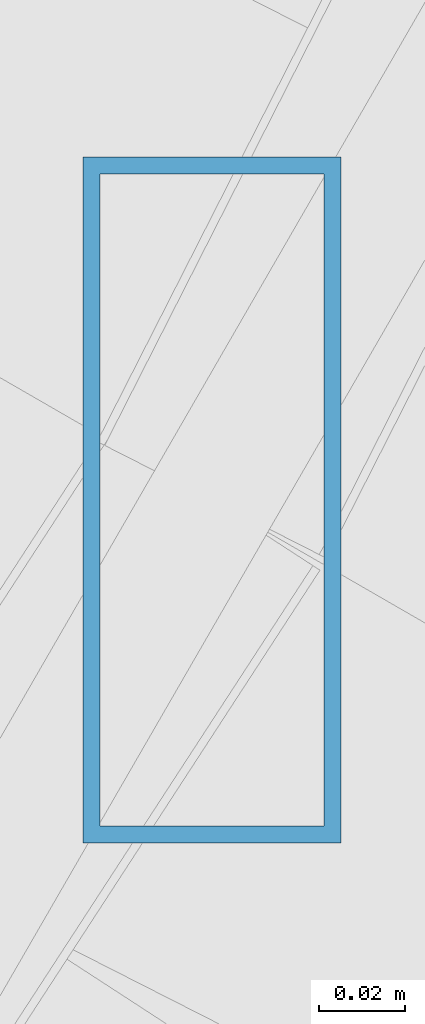
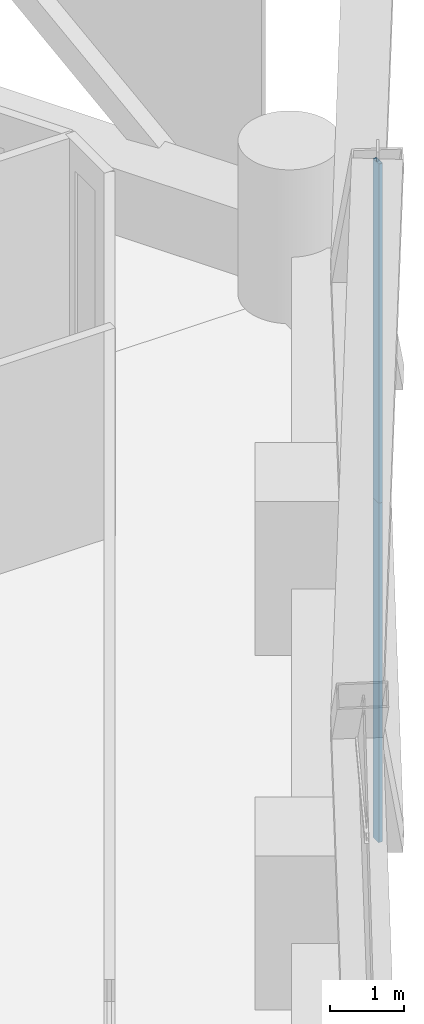
# One storey, part 6 of 22: 2 members, 1 element without a shape of its own.
"""IFC4 building model written with IfcOpenShell, lengths in metres."""

from ifc_helpers import new_model, si_unit, direction, frame, origin, origin_2d, place, context, subcontext, project, spatial, hollow_rectangle, extrude, material, material_profile, profile_set, type_object, element, aggregate, save


model = new_model("IFC4")

# Units and contexts
model_context = context("Model", 3, precision=1e-05, world=origin(), true_north=direction((0.0, 1.0)))
body_context = subcontext(model_context, "Body", "Model", "MODEL_VIEW")
ifc_project = project(units=[si_unit("LENGTHUNIT", "METRE"), si_unit("AREAUNIT", "SQUARE_METRE"), si_unit("VOLUMEUNIT", "CUBIC_METRE"), si_unit("PLANEANGLEUNIT", "RADIAN"), si_unit("MASSUNIT", "GRAM", prefix="KILO")], contexts=[model_context])

# Site, building, storey
site_placement = place(None, origin())
site = spatial("IfcSite", under=ifc_project, at=site_placement, CompositionType="ELEMENT")
building_placement = place(site_placement, origin())
building = spatial("IfcBuilding", under=site, at=building_placement, Name="Ostrander Bayou Hotel Tower", CompositionType="ELEMENT")
storey_placement = place(building_placement, frame((0.0, 0.0, 35.5)))
storey = spatial("IfcBuildingStorey", under=building, at=storey_placement, Name="L08", CompositionType="ELEMENT", Elevation=35.5)

# Curtain wall, members
ifc_material_1 = material(Name="Aluminium and clear glass", Category="aluminium")
curtain_wall_type = type_object("IfcCurtainWallType", Name="CW-LAT lattice glazing", PredefinedType="NOTDEFINED", material=ifc_material_1)
curtain_wall_placement = place(storey_placement, origin())
curtain_wall = element("IfcCurtainWall", 1, at=curtain_wall_placement, inside=storey, type_object=curtain_wall_type, Name="CW-LAT L08 SE 1", PredefinedType="NOTDEFINED")
ifc_material_2 = material(Name="Aluminium", Category="aluminium")
ifc_material_profile = material_profile(ifc_material_2, hollow_rectangle(XDim=0.06005859375, YDim=0.159912109375, WallThickness=0.00390625, at=origin_2d()))
ifc_profile_set = profile_set([ifc_material_profile], Name="Aluminium")
member_type = type_object("IfcMemberType", Name="CW-LA mullion 60 x 160 mm", PredefinedType="MULLION", material=ifc_profile_set)
member_1_placement = place(storey_placement, frame((19.11328125, -11.034912109375, -0.60009765625), z_axis=(0.0, 0.0, 1.0), x_axis=(1.0, 0.0, 0.0)))
member_1 = element("IfcMember", 2, at=member_1_placement, type_object=member_type, Name="CW-LAT mullion 4", PredefinedType="MULLION", context=body_context, shape_type="SweptSolid", body=[
    extrude(hollow_rectangle(XDim=0.06005859375, YDim=0.159912109375, WallThickness=0.00390625, at=origin_2d()), origin(), (0.0, 0.0, 1.0), 5.625),
])
member_2_placement = place(storey_placement, frame((19.11328125, -11.034912109375, 5.02490234375), z_axis=(0.0, 0.0, 1.0), x_axis=(1.0, 0.0, 0.0)))
member_2 = element("IfcMember", 3, at=member_2_placement, type_object=member_type, Name="CW-LAT mullion 5", PredefinedType="MULLION", context=body_context, shape_type="SweptSolid", body=[
    extrude(hollow_rectangle(XDim=0.06005859375, YDim=0.159912109375, WallThickness=0.00390625, at=origin_2d()), origin(), (0.0, 0.0, 1.0), 5.625),
])
aggregate(curtain_wall, [member_1, member_2])

save(model, "model.ifc")
